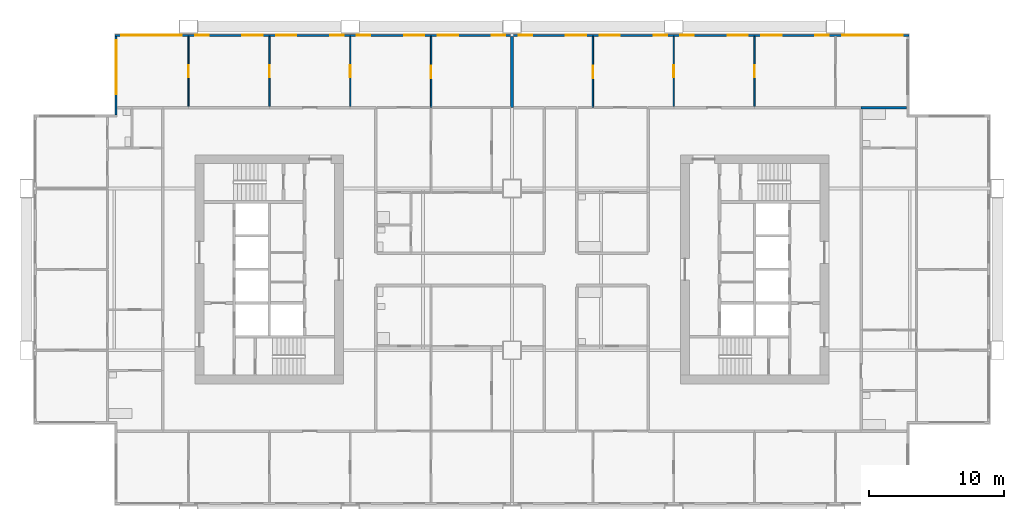
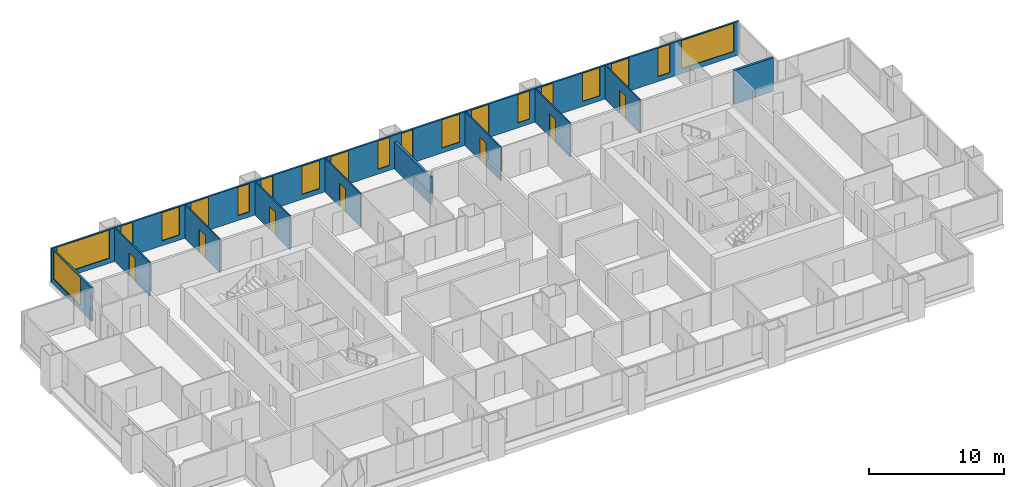
# One storey, part 8 of 12: 19 windows, 11 walls, 7 doors, 26 openings.
"""IFC4 building model written with IfcOpenShell, lengths in metres."""

from ifc_helpers import new_model, si_unit, direction, frame, frame_2d, origin, place, context, subcontext, project, spatial, rectangle, extrude, material, layer, layer_set, type_object, element, fill, save


model = new_model("IFC4")

# Units and contexts
model_context = context("Model", 3, precision=1e-05, world=origin(), true_north=direction((0.0, 1.0)))
body_context = subcontext(model_context, "Body", "Model", "MODEL_VIEW")
ifc_project = project(units=[si_unit("LENGTHUNIT", "METRE"), si_unit("AREAUNIT", "SQUARE_METRE"), si_unit("VOLUMEUNIT", "CUBIC_METRE"), si_unit("PLANEANGLEUNIT", "RADIAN"), si_unit("MASSUNIT", "GRAM", prefix="KILO")], contexts=[model_context])

# Site, building, storey
site_placement = place(None, origin())
site = spatial("IfcSite", under=ifc_project, at=site_placement, CompositionType="ELEMENT")
building_placement = place(site_placement, origin())
building = spatial("IfcBuilding", under=site, at=building_placement, Name="Kitamizu Gate Tower and Museum", CompositionType="ELEMENT")
storey_placement = place(building_placement, frame((0.0, 0.0, 134.550048828125)))
storey = spatial("IfcBuildingStorey", under=building, at=storey_placement, Name="L35", CompositionType="ELEMENT", Elevation=134.550048828125)

# Wall, opening, door
ifc_material_1 = material(Name="Gypsum board on galvanised stud")
ifc_layer_1 = layer(ifc_material_1, 0.10009765625)
ifc_layer_set_1 = layer_set([ifc_layer_1], Name="Gypsum board on galvanised stud")
wall_type_1 = type_object("IfcWallType", Name="Partition 100 NOT RATED", PredefinedType="PARTITIONING", material=ifc_layer_set_1)
wall_1_placement = place(storey_placement, frame((12.0, 42.10009765625, 0.0), z_axis=(0.0, 0.0, 1.0), x_axis=(0.0, 1.0, 0.0)))
wall_1 = element("IfcWall", 1, at=wall_1_placement, inside=storey, type_object=wall_type_1, Name="Partition L35-049", PredefinedType="PARTITIONING", context=body_context, shape_type="SweptSolid", body=[
    extrude(rectangle(XDim=5.179931640625, YDim=0.10009765625, at=frame_2d((2.58984375, 0.0))), origin(), (0.0, 0.0, 1.0), 3.050048828125),
])
opening_1_placement = place(wall_1_placement, frame((2.139892578125, 0.0, 0.0)))
opening_1 = element("IfcOpeningElement", 2, at=opening_1_placement, cuts=wall_1, Name="Opening L35-021", PredefinedType="OPENING", context=body_context, shape_type="SweptSolid", body=[
    extrude(rectangle(XDim=0.89990234375, YDim=2.10009765625, at=frame_2d((0.449951171875, 1.050048828125))), frame((0.0, 0.06005859375, 0.0), z_axis=(0.0, -1.0, 0.0), x_axis=(1.0, 0.0, 0.0)), (0.0, 0.0, 1.0), 0.1201171875),
])
ifc_material_2 = material(Name="Timber door set", Category="wood")
door_type = type_object("IfcDoorType", Name="Room door 900", OperationType="NOTDEFINED", PredefinedType="DOOR", material=ifc_material_2)
door_1_placement = place(opening_1_placement, origin())
door_1 = element("IfcDoor", 3, at=door_1_placement, inside=storey, type_object=door_type, Name="Door L35-021", OperationType="SINGLE_SWING_RIGHT", OverallHeight=2.10009765625, OverallWidth=0.89990234375, PredefinedType="DOOR", context=body_context, shape_type="SweptSolid", body=[
    extrude(rectangle(XDim=0.89990234375, YDim=2.10009765625, at=frame_2d((0.449951171875, 1.050048828125))), frame((0.0, 0.02490234375, 0.0), z_axis=(0.0, -1.0, 0.0), x_axis=(1.0, 0.0, 0.0)), (0.0, 0.0, 1.0), 0.050048828125),
])
fill(opening_1, door_1)

wall_2_placement = place(storey_placement, frame((18.0, 42.10009765625, 0.0), z_axis=(0.0, 0.0, 1.0), x_axis=(0.0, 1.0, 0.0)))
wall_2 = element("IfcWall", 4, at=wall_2_placement, inside=storey, type_object=wall_type_1, Name="Partition L35-053", PredefinedType="PARTITIONING", context=body_context, shape_type="SweptSolid", body=[
    extrude(rectangle(XDim=5.179931640625, YDim=0.10009765625, at=frame_2d((2.58984375, 0.0))), origin(), (0.0, 0.0, 1.0), 3.050048828125),
])
opening_2_placement = place(wall_2_placement, frame((2.139892578125, 0.0, 0.0)))
opening_2 = element("IfcOpeningElement", 5, at=opening_2_placement, cuts=wall_2, Name="Opening L35-019", PredefinedType="OPENING", context=body_context, shape_type="SweptSolid", body=[
    extrude(rectangle(XDim=0.89990234375, YDim=2.10009765625, at=frame_2d((0.449951171875, 1.050048828125))), frame((0.0, 0.06005859375, 0.0), z_axis=(0.0, -1.0, 0.0), x_axis=(1.0, 0.0, 0.0)), (0.0, 0.0, 1.0), 0.1201171875),
])
door_2_placement = place(opening_2_placement, origin())
door_2 = element("IfcDoor", 6, at=door_2_placement, inside=storey, type_object=door_type, Name="Door L35-019", OperationType="SINGLE_SWING_RIGHT", OverallHeight=2.10009765625, OverallWidth=0.89990234375, PredefinedType="DOOR", context=body_context, shape_type="SweptSolid", body=[
    extrude(rectangle(XDim=0.89990234375, YDim=2.10009765625, at=frame_2d((0.449951171875, 1.050048828125))), frame((0.0, 0.02490234375, 0.0), z_axis=(0.0, -1.0, 0.0), x_axis=(1.0, 0.0, 0.0)), (0.0, 0.0, 1.0), 0.050048828125),
])
fill(opening_2, door_2)

wall_3_placement = place(storey_placement, frame((24.0, 42.10009765625, 0.0), z_axis=(0.0, 0.0, 1.0), x_axis=(0.0, 1.0, 0.0)))
wall_3 = element("IfcWall", 7, at=wall_3_placement, inside=storey, type_object=wall_type_1, Name="Partition L35-055", PredefinedType="PARTITIONING", context=body_context, shape_type="SweptSolid", body=[
    extrude(rectangle(XDim=5.179931640625, YDim=0.10009765625, at=frame_2d((2.58984375, 0.0))), origin(), (0.0, 0.0, 1.0), 3.050048828125),
])
opening_3_placement = place(wall_3_placement, frame((2.139892578125, 0.0, 0.0)))
opening_3 = element("IfcOpeningElement", 8, at=opening_3_placement, cuts=wall_3, Name="Opening L35-020", PredefinedType="OPENING", context=body_context, shape_type="SweptSolid", body=[
    extrude(rectangle(XDim=0.89990234375, YDim=2.10009765625, at=frame_2d((0.449951171875, 1.050048828125))), frame((0.0, 0.06005859375, 0.0), z_axis=(0.0, -1.0, 0.0), x_axis=(1.0, 0.0, 0.0)), (0.0, 0.0, 1.0), 0.1201171875),
])
door_3_placement = place(opening_3_placement, frame((0.89990234375, 0.0, 0.0), x_axis=(-1.0, 0.0, 0.0)))
door_3 = element("IfcDoor", 9, at=door_3_placement, inside=storey, type_object=door_type, Name="Door L35-020", OperationType="SINGLE_SWING_RIGHT", OverallHeight=2.10009765625, OverallWidth=0.89990234375, PredefinedType="DOOR", context=body_context, shape_type="SweptSolid", body=[
    extrude(rectangle(XDim=0.89990234375, YDim=2.10009765625, at=frame_2d((0.449951171875, 1.050048828125))), frame((0.0, 0.02490234375, 0.0), z_axis=(0.0, -1.0, 0.0), x_axis=(1.0, 0.0, 0.0)), (0.0, 0.0, 1.0), 0.050048828125),
])
fill(opening_3, door_3)

wall_4_placement = place(storey_placement, frame((30.0, 42.0, 0.0), z_axis=(0.0, 0.0, 1.0), x_axis=(0.0, 1.0, 0.0)))
wall_4 = element("IfcWall", 10, at=wall_4_placement, inside=storey, type_object=wall_type_1, Name="Partition L35-057", PredefinedType="PARTITIONING", context=body_context, shape_type="SweptSolid", body=[
    extrude(rectangle(XDim=5.280029296875, YDim=0.10009765625, at=frame_2d((2.64013671875, 0.0))), origin(), (0.0, 0.0, 1.0), 3.050048828125),
])
opening_4_placement = place(wall_4_placement, frame((2.18994140625, 0.0, 0.0)))
opening_4 = element("IfcOpeningElement", 11, at=opening_4_placement, cuts=wall_4, Name="Opening L35-022", PredefinedType="OPENING", context=body_context, shape_type="SweptSolid", body=[
    extrude(rectangle(XDim=0.89990234375, YDim=2.10009765625, at=frame_2d((0.449951171875, 1.050048828125))), frame((0.0, 0.06005859375, 0.0), z_axis=(0.0, -1.0, 0.0), x_axis=(1.0, 0.0, 0.0)), (0.0, 0.0, 1.0), 0.1201171875),
])
door_4_placement = place(opening_4_placement, origin())
door_4 = element("IfcDoor", 12, at=door_4_placement, inside=storey, type_object=door_type, Name="Door L35-022", OperationType="SINGLE_SWING_LEFT", OverallHeight=2.10009765625, OverallWidth=0.89990234375, PredefinedType="DOOR", context=body_context, shape_type="SweptSolid", body=[
    extrude(rectangle(XDim=0.89990234375, YDim=2.10009765625, at=frame_2d((0.449951171875, 1.050048828125))), frame((0.0, 0.02490234375, 0.0), z_axis=(0.0, -1.0, 0.0), x_axis=(1.0, 0.0, 0.0)), (0.0, 0.0, 1.0), 0.050048828125),
])
fill(opening_4, door_4)

wall_5_placement = place(storey_placement, frame((42.0, 42.0, 0.0), z_axis=(0.0, 0.0, 1.0), x_axis=(0.0, 1.0, 0.0)))
wall_5 = element("IfcWall", 13, at=wall_5_placement, inside=storey, type_object=wall_type_1, Name="Partition L35-106", PredefinedType="PARTITIONING", context=body_context, shape_type="SweptSolid", body=[
    extrude(rectangle(XDim=5.280029296875, YDim=0.10009765625, at=frame_2d((2.64013671875, 0.0))), origin(), (0.0, 0.0, 1.0), 3.050048828125),
])
opening_5_placement = place(wall_5_placement, frame((2.18994140625, 0.0, 0.0)))
opening_5 = element("IfcOpeningElement", 14, at=opening_5_placement, cuts=wall_5, Name="Opening L35-042", PredefinedType="OPENING", context=body_context, shape_type="SweptSolid", body=[
    extrude(rectangle(XDim=0.89990234375, YDim=2.10009765625, at=frame_2d((0.449951171875, 1.050048828125))), frame((0.0, 0.06005859375, 0.0), z_axis=(0.0, -1.0, 0.0), x_axis=(1.0, 0.0, 0.0)), (0.0, 0.0, 1.0), 0.1201171875),
])
door_5_placement = place(opening_5_placement, origin())
door_5 = element("IfcDoor", 15, at=door_5_placement, inside=storey, type_object=door_type, Name="Door L35-042", OperationType="SINGLE_SWING_RIGHT", OverallHeight=2.10009765625, OverallWidth=0.89990234375, PredefinedType="DOOR", context=body_context, shape_type="SweptSolid", body=[
    extrude(rectangle(XDim=0.89990234375, YDim=2.10009765625, at=frame_2d((0.449951171875, 1.050048828125))), frame((0.0, 0.02490234375, 0.0), z_axis=(0.0, -1.0, 0.0), x_axis=(1.0, 0.0, 0.0)), (0.0, 0.0, 1.0), 0.050048828125),
])
fill(opening_5, door_5)

wall_6_placement = place(storey_placement, frame((48.0, 42.10009765625, 0.0), z_axis=(0.0, 0.0, 1.0), x_axis=(0.0, 1.0, 0.0)))
wall_6 = element("IfcWall", 16, at=wall_6_placement, inside=storey, type_object=wall_type_1, Name="Partition L35-109", PredefinedType="PARTITIONING", context=body_context, shape_type="SweptSolid", body=[
    extrude(rectangle(XDim=5.179931640625, YDim=0.10009765625, at=frame_2d((2.58984375, 0.0))), origin(), (0.0, 0.0, 1.0), 3.050048828125),
])
opening_6_placement = place(wall_6_placement, frame((2.139892578125, 0.0, 0.0)))
opening_6 = element("IfcOpeningElement", 17, at=opening_6_placement, cuts=wall_6, Name="Opening L35-039", PredefinedType="OPENING", context=body_context, shape_type="SweptSolid", body=[
    extrude(rectangle(XDim=0.89990234375, YDim=2.10009765625, at=frame_2d((0.449951171875, 1.050048828125))), frame((0.0, 0.06005859375, 0.0), z_axis=(0.0, -1.0, 0.0), x_axis=(1.0, 0.0, 0.0)), (0.0, 0.0, 1.0), 0.1201171875),
])
door_6_placement = place(opening_6_placement, origin())
door_6 = element("IfcDoor", 18, at=door_6_placement, inside=storey, type_object=door_type, Name="Door L35-039", OperationType="SINGLE_SWING_LEFT", OverallHeight=2.10009765625, OverallWidth=0.89990234375, PredefinedType="DOOR", context=body_context, shape_type="SweptSolid", body=[
    extrude(rectangle(XDim=0.89990234375, YDim=2.10009765625, at=frame_2d((0.449951171875, 1.050048828125))), frame((0.0, 0.02490234375, 0.0), z_axis=(0.0, -1.0, 0.0), x_axis=(1.0, 0.0, 0.0)), (0.0, 0.0, 1.0), 0.050048828125),
])
fill(opening_6, door_6)

wall_7_placement = place(storey_placement, frame((54.0, 42.10009765625, 0.0), z_axis=(0.0, 0.0, 1.0), x_axis=(0.0, 1.0, 0.0)))
wall_7 = element("IfcWall", 19, at=wall_7_placement, inside=storey, type_object=wall_type_1, Name="Partition L35-112", PredefinedType="PARTITIONING", context=body_context, shape_type="SweptSolid", body=[
    extrude(rectangle(XDim=5.179931640625, YDim=0.10009765625, at=frame_2d((2.58984375, 0.0))), origin(), (0.0, 0.0, 1.0), 3.050048828125),
])
opening_7_placement = place(wall_7_placement, frame((2.139892578125, 0.0, 0.0)))
opening_7 = element("IfcOpeningElement", 20, at=opening_7_placement, cuts=wall_7, Name="Opening L35-040", PredefinedType="OPENING", context=body_context, shape_type="SweptSolid", body=[
    extrude(rectangle(XDim=0.89990234375, YDim=2.10009765625, at=frame_2d((0.449951171875, 1.050048828125))), frame((0.0, 0.06005859375, 0.0), z_axis=(0.0, -1.0, 0.0), x_axis=(1.0, 0.0, 0.0)), (0.0, 0.0, 1.0), 0.1201171875),
])
door_7_placement = place(opening_7_placement, frame((0.89990234375, 0.0, 0.0), x_axis=(-1.0, 0.0, 0.0)))
door_7 = element("IfcDoor", 21, at=door_7_placement, inside=storey, type_object=door_type, Name="Door L35-040", OperationType="SINGLE_SWING_LEFT", OverallHeight=2.10009765625, OverallWidth=0.89990234375, PredefinedType="DOOR", context=body_context, shape_type="SweptSolid", body=[
    extrude(rectangle(XDim=0.89990234375, YDim=2.10009765625, at=frame_2d((0.449951171875, 1.050048828125))), frame((0.0, 0.02490234375, 0.0), z_axis=(0.0, -1.0, 0.0), x_axis=(1.0, 0.0, 0.0)), (0.0, 0.0, 1.0), 0.050048828125),
])
fill(opening_7, door_7)

# Walls
ifc_material_3 = material(Name="Gypsum board on galvanised stud")
ifc_layer_2 = layer(ifc_material_3, 0.199951171875)
ifc_layer_set_2 = layer_set([ifc_layer_2], Name="Gypsum board on galvanised stud")
wall_type_2 = type_object("IfcWallType", Name="Partition 200", PredefinedType="PARTITIONING", material=ifc_layer_set_2)
wall_8_placement = place(storey_placement, frame((36.0, 42.0, 0.0), z_axis=(0.0, 0.0, 1.0), x_axis=(0.0, 1.0, 0.0)))
element("IfcWall", 22, at=wall_8_placement, inside=storey, type_object=wall_type_2, Name="Partition L35-062", PredefinedType="PARTITIONING", context=body_context, shape_type="SweptSolid", body=[
    extrude(rectangle(XDim=5.280029296875, YDim=0.199951171875, at=frame_2d((2.64013671875, 0.0))), origin(), (0.0, 0.0, 1.0), 2.449951171875),
])
wall_9_placement = place(storey_placement, frame((61.89990234375, 42.0, 0.0), z_axis=(0.0, 0.0, 1.0), x_axis=(1.0, 0.0, 0.0)))
element("IfcWall", 23, at=wall_9_placement, inside=storey, type_object=wall_type_2, Name="Partition L35-116", PredefinedType="PARTITIONING", context=body_context, shape_type="SweptSolid", body=[
    extrude(rectangle(XDim=3.380126953125, YDim=0.199951171875, at=frame_2d((1.68994140625, 0.0))), origin(), (0.0, 0.0, 1.0), 3.050048828125),
])

# Wall, openings, windows
ifc_material_4 = material(Name="Bronze anodised aluminium frame with insulated spandrel and tinted glass", Category="aluminium")
ifc_layer_3 = layer(ifc_material_4, 0.14990234375)
ifc_layer_set_3 = layer_set([ifc_layer_3], Name="Bronze anodised aluminium frame with insulated spandrel and tinted glass")
wall_type_3 = type_object("IfcWallType", Name="WINDOW WALL 150 BRONZE FRAME EI 30", PredefinedType="ELEMENTEDWALL", material=ifc_layer_set_3)
wall_10_placement = place(storey_placement, frame((6.56005859375, 47.364990234375, 0.0), z_axis=(0.0, 0.0, 1.0), x_axis=(1.0, 0.0, 0.0)))
wall_10 = element("IfcWall", 24, at=wall_10_placement, inside=storey, type_object=wall_type_3, Name="Window wall north L35", PredefinedType="ELEMENTEDWALL", context=body_context, shape_type="SweptSolid", body=[
    extrude(rectangle(XDim=58.8798828125, YDim=0.14990234375, at=frame_2d((29.43994140625, 0.0))), origin(), (0.0, 0.0, 1.0), 3.050048828125),
])
opening_8_placement = place(wall_10_placement, frame((0.43994140625, 0.0, 0.449951171875)))
opening_8 = element("IfcOpeningElement", 25, at=opening_8_placement, cuts=wall_10, Name="Opening W15", PredefinedType="OPENING", context=body_context, shape_type="SweptSolid", body=[
    extrude(rectangle(XDim=4.5, YDim=2.550048828125, at=frame_2d((2.25, 1.27490234375))), frame((0.0, 0.0849609375, 0.0), z_axis=(0.0, -1.0, 0.0), x_axis=(1.0, 0.0, 0.0)), (0.0, 0.0, 1.0), 0.169921875),
])
opening_9_placement = place(wall_10_placement, frame((5.93994140625, 0.0, 0.449951171875)))
opening_9 = element("IfcOpeningElement", 26, at=opening_9_placement, cuts=wall_10, Name="Opening W26", PredefinedType="OPENING", context=body_context, shape_type="SweptSolid", body=[
    extrude(rectangle(XDim=1.0, YDim=2.550048828125, at=frame_2d((0.5, 1.27490234375))), frame((0.0, 0.0849609375, 0.0), z_axis=(0.0, -1.0, 0.0), x_axis=(1.0, 0.0, 0.0)), (0.0, 0.0, 1.0), 0.169921875),
])
opening_10_placement = place(wall_10_placement, frame((9.43994140625, 0.0, 0.449951171875)))
opening_10 = element("IfcOpeningElement", 27, at=opening_10_placement, cuts=wall_10, Name="Opening W28", PredefinedType="OPENING", context=body_context, shape_type="SweptSolid", body=[
    extrude(rectangle(XDim=1.5, YDim=2.550048828125, at=frame_2d((0.75, 1.27490234375))), frame((0.0, 0.0849609375, 0.0), z_axis=(0.0, -1.0, 0.0), x_axis=(1.0, 0.0, 0.0)), (0.0, 0.0, 1.0), 0.169921875),
])
opening_11_placement = place(wall_10_placement, frame((11.93994140625, 0.0, 0.449951171875)))
opening_11 = element("IfcOpeningElement", 28, at=opening_11_placement, cuts=wall_10, Name="Opening W28", PredefinedType="OPENING", context=body_context, shape_type="SweptSolid", body=[
    extrude(rectangle(XDim=1.5, YDim=2.550048828125, at=frame_2d((0.75, 1.27490234375))), frame((0.0, 0.0849609375, 0.0), z_axis=(0.0, -1.0, 0.0), x_axis=(1.0, 0.0, 0.0)), (0.0, 0.0, 1.0), 0.169921875),
])
opening_12_placement = place(wall_10_placement, frame((15.93994140625, 0.0, 0.449951171875)))
opening_12 = element("IfcOpeningElement", 29, at=opening_12_placement, cuts=wall_10, Name="Opening W26", PredefinedType="OPENING", context=body_context, shape_type="SweptSolid", body=[
    extrude(rectangle(XDim=1.0, YDim=2.550048828125, at=frame_2d((0.5, 1.27490234375))), frame((0.0, 0.0849609375, 0.0), z_axis=(0.0, -1.0, 0.0), x_axis=(1.0, 0.0, 0.0)), (0.0, 0.0, 1.0), 0.169921875),
])
opening_13_placement = place(wall_10_placement, frame((17.93994140625, 0.0, 0.449951171875)))
opening_13 = element("IfcOpeningElement", 30, at=opening_13_placement, cuts=wall_10, Name="Opening W26", PredefinedType="OPENING", context=body_context, shape_type="SweptSolid", body=[
    extrude(rectangle(XDim=1.0, YDim=2.550048828125, at=frame_2d((0.5, 1.27490234375))), frame((0.0, 0.0849609375, 0.0), z_axis=(0.0, -1.0, 0.0), x_axis=(1.0, 0.0, 0.0)), (0.0, 0.0, 1.0), 0.169921875),
])
opening_14_placement = place(wall_10_placement, frame((21.43994140625, 0.0, 0.449951171875)))
opening_14 = element("IfcOpeningElement", 31, at=opening_14_placement, cuts=wall_10, Name="Opening W28", PredefinedType="OPENING", context=body_context, shape_type="SweptSolid", body=[
    extrude(rectangle(XDim=1.5, YDim=2.550048828125, at=frame_2d((0.75, 1.27490234375))), frame((0.0, 0.0849609375, 0.0), z_axis=(0.0, -1.0, 0.0), x_axis=(1.0, 0.0, 0.0)), (0.0, 0.0, 1.0), 0.169921875),
])
opening_15_placement = place(wall_10_placement, frame((23.93994140625, 0.0, 0.449951171875)))
opening_15 = element("IfcOpeningElement", 32, at=opening_15_placement, cuts=wall_10, Name="Opening W28", PredefinedType="OPENING", context=body_context, shape_type="SweptSolid", body=[
    extrude(rectangle(XDim=1.5, YDim=2.550048828125, at=frame_2d((0.75, 1.27490234375))), frame((0.0, 0.0849609375, 0.0), z_axis=(0.0, -1.0, 0.0), x_axis=(1.0, 0.0, 0.0)), (0.0, 0.0, 1.0), 0.169921875),
])
opening_16_placement = place(wall_10_placement, frame((27.93994140625, 0.0, 0.449951171875)))
opening_16 = element("IfcOpeningElement", 33, at=opening_16_placement, cuts=wall_10, Name="Opening W26", PredefinedType="OPENING", context=body_context, shape_type="SweptSolid", body=[
    extrude(rectangle(XDim=1.0, YDim=2.550048828125, at=frame_2d((0.5, 1.27490234375))), frame((0.0, 0.0849609375, 0.0), z_axis=(0.0, -1.0, 0.0), x_axis=(1.0, 0.0, 0.0)), (0.0, 0.0, 1.0), 0.169921875),
])
opening_17_placement = place(wall_10_placement, frame((29.93994140625, 0.0, 0.449951171875)))
opening_17 = element("IfcOpeningElement", 34, at=opening_17_placement, cuts=wall_10, Name="Opening W26", PredefinedType="OPENING", context=body_context, shape_type="SweptSolid", body=[
    extrude(rectangle(XDim=1.0, YDim=2.550048828125, at=frame_2d((0.5, 1.27490234375))), frame((0.0, 0.0849609375, 0.0), z_axis=(0.0, -1.0, 0.0), x_axis=(1.0, 0.0, 0.0)), (0.0, 0.0, 1.0), 0.169921875),
])
opening_18_placement = place(wall_10_placement, frame((33.43994140625, 0.0, 0.449951171875)))
opening_18 = element("IfcOpeningElement", 35, at=opening_18_placement, cuts=wall_10, Name="Opening W28", PredefinedType="OPENING", context=body_context, shape_type="SweptSolid", body=[
    extrude(rectangle(XDim=1.5, YDim=2.550048828125, at=frame_2d((0.75, 1.27490234375))), frame((0.0, 0.0849609375, 0.0), z_axis=(0.0, -1.0, 0.0), x_axis=(1.0, 0.0, 0.0)), (0.0, 0.0, 1.0), 0.169921875),
])
opening_19_placement = place(wall_10_placement, frame((35.93994140625, 0.0, 0.449951171875)))
opening_19 = element("IfcOpeningElement", 36, at=opening_19_placement, cuts=wall_10, Name="Opening W28", PredefinedType="OPENING", context=body_context, shape_type="SweptSolid", body=[
    extrude(rectangle(XDim=1.5, YDim=2.550048828125, at=frame_2d((0.75, 1.27490234375))), frame((0.0, 0.0849609375, 0.0), z_axis=(0.0, -1.0, 0.0), x_axis=(1.0, 0.0, 0.0)), (0.0, 0.0, 1.0), 0.169921875),
])
opening_20_placement = place(wall_10_placement, frame((39.93994140625, 0.0, 0.449951171875)))
opening_20 = element("IfcOpeningElement", 37, at=opening_20_placement, cuts=wall_10, Name="Opening W26", PredefinedType="OPENING", context=body_context, shape_type="SweptSolid", body=[
    extrude(rectangle(XDim=1.0, YDim=2.550048828125, at=frame_2d((0.5, 1.27490234375))), frame((0.0, 0.0849609375, 0.0), z_axis=(0.0, -1.0, 0.0), x_axis=(1.0, 0.0, 0.0)), (0.0, 0.0, 1.0), 0.169921875),
])
opening_21_placement = place(wall_10_placement, frame((41.93994140625, 0.0, 0.449951171875)))
opening_21 = element("IfcOpeningElement", 38, at=opening_21_placement, cuts=wall_10, Name="Opening W26", PredefinedType="OPENING", context=body_context, shape_type="SweptSolid", body=[
    extrude(rectangle(XDim=1.0, YDim=2.550048828125, at=frame_2d((0.5, 1.27490234375))), frame((0.0, 0.0849609375, 0.0), z_axis=(0.0, -1.0, 0.0), x_axis=(1.0, 0.0, 0.0)), (0.0, 0.0, 1.0), 0.169921875),
])
opening_22_placement = place(wall_10_placement, frame((45.43994140625, 0.0, 0.449951171875)))
opening_22 = element("IfcOpeningElement", 39, at=opening_22_placement, cuts=wall_10, Name="Opening W28", PredefinedType="OPENING", context=body_context, shape_type="SweptSolid", body=[
    extrude(rectangle(XDim=1.5, YDim=2.550048828125, at=frame_2d((0.75, 1.27490234375))), frame((0.0, 0.0849609375, 0.0), z_axis=(0.0, -1.0, 0.0), x_axis=(1.0, 0.0, 0.0)), (0.0, 0.0, 1.0), 0.169921875),
])
opening_23_placement = place(wall_10_placement, frame((47.93994140625, 0.0, 0.449951171875)))
opening_23 = element("IfcOpeningElement", 40, at=opening_23_placement, cuts=wall_10, Name="Opening W28", PredefinedType="OPENING", context=body_context, shape_type="SweptSolid", body=[
    extrude(rectangle(XDim=1.5, YDim=2.550048828125, at=frame_2d((0.75, 1.27490234375))), frame((0.0, 0.0849609375, 0.0), z_axis=(0.0, -1.0, 0.0), x_axis=(1.0, 0.0, 0.0)), (0.0, 0.0, 1.0), 0.169921875),
])
opening_24_placement = place(wall_10_placement, frame((51.93994140625, 0.0, 0.449951171875)))
opening_24 = element("IfcOpeningElement", 41, at=opening_24_placement, cuts=wall_10, Name="Opening W26", PredefinedType="OPENING", context=body_context, shape_type="SweptSolid", body=[
    extrude(rectangle(XDim=1.0, YDim=2.550048828125, at=frame_2d((0.5, 1.27490234375))), frame((0.0, 0.0849609375, 0.0), z_axis=(0.0, -1.0, 0.0), x_axis=(1.0, 0.0, 0.0)), (0.0, 0.0, 1.0), 0.169921875),
])
opening_25_placement = place(wall_10_placement, frame((53.93994140625, 0.0, 0.449951171875)))
opening_25 = element("IfcOpeningElement", 42, at=opening_25_placement, cuts=wall_10, Name="Opening W15", PredefinedType="OPENING", context=body_context, shape_type="SweptSolid", body=[
    extrude(rectangle(XDim=4.5, YDim=2.550048828125, at=frame_2d((2.25, 1.27490234375))), frame((0.0, 0.0849609375, 0.0), z_axis=(0.0, -1.0, 0.0), x_axis=(1.0, 0.0, 0.0)), (0.0, 0.0, 1.0), 0.169921875),
])
ifc_material_5 = material(Name="Bronze anodised aluminium frame, tinted triple glazing", Category="aluminium")
window_type_1 = type_object("IfcWindowType", Name="WINDOW 1000 x 2550 SILL 450", PartitioningType="SINGLE_PANEL", PredefinedType="WINDOW", material=ifc_material_5)
window_1_placement = place(opening_9_placement, origin())
window_1 = element("IfcWindow", 43, at=window_1_placement, inside=storey, type_object=window_type_1, Name="Window W26 L35", OverallHeight=2.550048828125, OverallWidth=1.0, PartitioningType="SINGLE_PANEL", PredefinedType="WINDOW", context=body_context, shape_type="SweptSolid", body=[
    extrude(rectangle(XDim=1.0, YDim=2.550048828125, at=frame_2d((0.5, 1.27490234375))), frame((0.0, 0.030029296875, 0.0), z_axis=(0.0, -1.0, 0.0), x_axis=(1.0, 0.0, 0.0)), (0.0, 0.0, 1.0), 0.06005859375),
])
fill(opening_9, window_1)
window_2_placement = place(opening_12_placement, origin())
window_2 = element("IfcWindow", 44, at=window_2_placement, inside=storey, type_object=window_type_1, Name="Window W26 L35", OverallHeight=2.550048828125, OverallWidth=1.0, PartitioningType="SINGLE_PANEL", PredefinedType="WINDOW", context=body_context, shape_type="SweptSolid", body=[
    extrude(rectangle(XDim=1.0, YDim=2.550048828125, at=frame_2d((0.5, 1.27490234375))), frame((0.0, 0.030029296875, 0.0), z_axis=(0.0, -1.0, 0.0), x_axis=(1.0, 0.0, 0.0)), (0.0, 0.0, 1.0), 0.06005859375),
])
fill(opening_12, window_2)
window_3_placement = place(opening_13_placement, origin())
window_3 = element("IfcWindow", 45, at=window_3_placement, inside=storey, type_object=window_type_1, Name="Window W26 L35", OverallHeight=2.550048828125, OverallWidth=1.0, PartitioningType="SINGLE_PANEL", PredefinedType="WINDOW", context=body_context, shape_type="SweptSolid", body=[
    extrude(rectangle(XDim=1.0, YDim=2.550048828125, at=frame_2d((0.5, 1.27490234375))), frame((0.0, 0.030029296875, 0.0), z_axis=(0.0, -1.0, 0.0), x_axis=(1.0, 0.0, 0.0)), (0.0, 0.0, 1.0), 0.06005859375),
])
fill(opening_13, window_3)
window_4_placement = place(opening_16_placement, origin())
window_4 = element("IfcWindow", 46, at=window_4_placement, inside=storey, type_object=window_type_1, Name="Window W26 L35", OverallHeight=2.550048828125, OverallWidth=1.0, PartitioningType="SINGLE_PANEL", PredefinedType="WINDOW", context=body_context, shape_type="SweptSolid", body=[
    extrude(rectangle(XDim=1.0, YDim=2.550048828125, at=frame_2d((0.5, 1.27490234375))), frame((0.0, 0.030029296875, 0.0), z_axis=(0.0, -1.0, 0.0), x_axis=(1.0, 0.0, 0.0)), (0.0, 0.0, 1.0), 0.06005859375),
])
fill(opening_16, window_4)
window_5_placement = place(opening_17_placement, origin())
window_5 = element("IfcWindow", 47, at=window_5_placement, inside=storey, type_object=window_type_1, Name="Window W26 L35", OverallHeight=2.550048828125, OverallWidth=1.0, PartitioningType="SINGLE_PANEL", PredefinedType="WINDOW", context=body_context, shape_type="SweptSolid", body=[
    extrude(rectangle(XDim=1.0, YDim=2.550048828125, at=frame_2d((0.5, 1.27490234375))), frame((0.0, 0.030029296875, 0.0), z_axis=(0.0, -1.0, 0.0), x_axis=(1.0, 0.0, 0.0)), (0.0, 0.0, 1.0), 0.06005859375),
])
fill(opening_17, window_5)
window_6_placement = place(opening_20_placement, origin())
window_6 = element("IfcWindow", 48, at=window_6_placement, inside=storey, type_object=window_type_1, Name="Window W26 L35", OverallHeight=2.550048828125, OverallWidth=1.0, PartitioningType="SINGLE_PANEL", PredefinedType="WINDOW", context=body_context, shape_type="SweptSolid", body=[
    extrude(rectangle(XDim=1.0, YDim=2.550048828125, at=frame_2d((0.5, 1.27490234375))), frame((0.0, 0.030029296875, 0.0), z_axis=(0.0, -1.0, 0.0), x_axis=(1.0, 0.0, 0.0)), (0.0, 0.0, 1.0), 0.06005859375),
])
fill(opening_20, window_6)
window_7_placement = place(opening_21_placement, origin())
window_7 = element("IfcWindow", 49, at=window_7_placement, inside=storey, type_object=window_type_1, Name="Window W26 L35", OverallHeight=2.550048828125, OverallWidth=1.0, PartitioningType="SINGLE_PANEL", PredefinedType="WINDOW", context=body_context, shape_type="SweptSolid", body=[
    extrude(rectangle(XDim=1.0, YDim=2.550048828125, at=frame_2d((0.5, 1.27490234375))), frame((0.0, 0.030029296875, 0.0), z_axis=(0.0, -1.0, 0.0), x_axis=(1.0, 0.0, 0.0)), (0.0, 0.0, 1.0), 0.06005859375),
])
fill(opening_21, window_7)
window_8_placement = place(opening_24_placement, origin())
window_8 = element("IfcWindow", 50, at=window_8_placement, inside=storey, type_object=window_type_1, Name="Window W26 L35", OverallHeight=2.550048828125, OverallWidth=1.0, PartitioningType="SINGLE_PANEL", PredefinedType="WINDOW", context=body_context, shape_type="SweptSolid", body=[
    extrude(rectangle(XDim=1.0, YDim=2.550048828125, at=frame_2d((0.5, 1.27490234375))), frame((0.0, 0.030029296875, 0.0), z_axis=(0.0, -1.0, 0.0), x_axis=(1.0, 0.0, 0.0)), (0.0, 0.0, 1.0), 0.06005859375),
])
fill(opening_24, window_8)
ifc_material_6 = material(Name="Bronze anodised aluminium frame, tinted triple glazing", Category="aluminium")
window_type_2 = type_object("IfcWindowType", Name="WINDOW 1500 x 2550 SILL 450", PartitioningType="SINGLE_PANEL", PredefinedType="WINDOW", material=ifc_material_6)
window_9_placement = place(opening_10_placement, origin())
window_9 = element("IfcWindow", 51, at=window_9_placement, inside=storey, type_object=window_type_2, Name="Window W28 L35", OverallHeight=2.550048828125, OverallWidth=1.5, PartitioningType="SINGLE_PANEL", PredefinedType="WINDOW", context=body_context, shape_type="SweptSolid", body=[
    extrude(rectangle(XDim=1.5, YDim=2.550048828125, at=frame_2d((0.75, 1.27490234375))), frame((0.0, 0.030029296875, 0.0), z_axis=(0.0, -1.0, 0.0), x_axis=(1.0, 0.0, 0.0)), (0.0, 0.0, 1.0), 0.06005859375),
])
fill(opening_10, window_9)
window_10_placement = place(opening_11_placement, origin())
window_10 = element("IfcWindow", 52, at=window_10_placement, inside=storey, type_object=window_type_2, Name="Window W28 L35", OverallHeight=2.550048828125, OverallWidth=1.5, PartitioningType="SINGLE_PANEL", PredefinedType="WINDOW", context=body_context, shape_type="SweptSolid", body=[
    extrude(rectangle(XDim=1.5, YDim=2.550048828125, at=frame_2d((0.75, 1.27490234375))), frame((0.0, 0.030029296875, 0.0), z_axis=(0.0, -1.0, 0.0), x_axis=(1.0, 0.0, 0.0)), (0.0, 0.0, 1.0), 0.06005859375),
])
fill(opening_11, window_10)
window_11_placement = place(opening_14_placement, origin())
window_11 = element("IfcWindow", 53, at=window_11_placement, inside=storey, type_object=window_type_2, Name="Window W28 L35", OverallHeight=2.550048828125, OverallWidth=1.5, PartitioningType="SINGLE_PANEL", PredefinedType="WINDOW", context=body_context, shape_type="SweptSolid", body=[
    extrude(rectangle(XDim=1.5, YDim=2.550048828125, at=frame_2d((0.75, 1.27490234375))), frame((0.0, 0.030029296875, 0.0), z_axis=(0.0, -1.0, 0.0), x_axis=(1.0, 0.0, 0.0)), (0.0, 0.0, 1.0), 0.06005859375),
])
fill(opening_14, window_11)
window_12_placement = place(opening_15_placement, origin())
window_12 = element("IfcWindow", 54, at=window_12_placement, inside=storey, type_object=window_type_2, Name="Window W28 L35", OverallHeight=2.550048828125, OverallWidth=1.5, PartitioningType="SINGLE_PANEL", PredefinedType="WINDOW", context=body_context, shape_type="SweptSolid", body=[
    extrude(rectangle(XDim=1.5, YDim=2.550048828125, at=frame_2d((0.75, 1.27490234375))), frame((0.0, 0.030029296875, 0.0), z_axis=(0.0, -1.0, 0.0), x_axis=(1.0, 0.0, 0.0)), (0.0, 0.0, 1.0), 0.06005859375),
])
fill(opening_15, window_12)
window_13_placement = place(opening_18_placement, origin())
window_13 = element("IfcWindow", 55, at=window_13_placement, inside=storey, type_object=window_type_2, Name="Window W28 L35", OverallHeight=2.550048828125, OverallWidth=1.5, PartitioningType="SINGLE_PANEL", PredefinedType="WINDOW", context=body_context, shape_type="SweptSolid", body=[
    extrude(rectangle(XDim=1.5, YDim=2.550048828125, at=frame_2d((0.75, 1.27490234375))), frame((0.0, 0.030029296875, 0.0), z_axis=(0.0, -1.0, 0.0), x_axis=(1.0, 0.0, 0.0)), (0.0, 0.0, 1.0), 0.06005859375),
])
fill(opening_18, window_13)
window_14_placement = place(opening_19_placement, origin())
window_14 = element("IfcWindow", 56, at=window_14_placement, inside=storey, type_object=window_type_2, Name="Window W28 L35", OverallHeight=2.550048828125, OverallWidth=1.5, PartitioningType="SINGLE_PANEL", PredefinedType="WINDOW", context=body_context, shape_type="SweptSolid", body=[
    extrude(rectangle(XDim=1.5, YDim=2.550048828125, at=frame_2d((0.75, 1.27490234375))), frame((0.0, 0.030029296875, 0.0), z_axis=(0.0, -1.0, 0.0), x_axis=(1.0, 0.0, 0.0)), (0.0, 0.0, 1.0), 0.06005859375),
])
fill(opening_19, window_14)
window_15_placement = place(opening_22_placement, origin())
window_15 = element("IfcWindow", 57, at=window_15_placement, inside=storey, type_object=window_type_2, Name="Window W28 L35", OverallHeight=2.550048828125, OverallWidth=1.5, PartitioningType="SINGLE_PANEL", PredefinedType="WINDOW", context=body_context, shape_type="SweptSolid", body=[
    extrude(rectangle(XDim=1.5, YDim=2.550048828125, at=frame_2d((0.75, 1.27490234375))), frame((0.0, 0.030029296875, 0.0), z_axis=(0.0, -1.0, 0.0), x_axis=(1.0, 0.0, 0.0)), (0.0, 0.0, 1.0), 0.06005859375),
])
fill(opening_22, window_15)
window_16_placement = place(opening_23_placement, origin())
window_16 = element("IfcWindow", 58, at=window_16_placement, inside=storey, type_object=window_type_2, Name="Window W28 L35", OverallHeight=2.550048828125, OverallWidth=1.5, PartitioningType="SINGLE_PANEL", PredefinedType="WINDOW", context=body_context, shape_type="SweptSolid", body=[
    extrude(rectangle(XDim=1.5, YDim=2.550048828125, at=frame_2d((0.75, 1.27490234375))), frame((0.0, 0.030029296875, 0.0), z_axis=(0.0, -1.0, 0.0), x_axis=(1.0, 0.0, 0.0)), (0.0, 0.0, 1.0), 0.06005859375),
])
fill(opening_23, window_16)
ifc_material_7 = material(Name="Bronze anodised aluminium frame, tinted triple glazing", Category="aluminium")
window_type_3 = type_object("IfcWindowType", Name="WINDOW 4500 x 2550 SILL 450", PartitioningType="SINGLE_PANEL", PredefinedType="WINDOW", material=ifc_material_7)
window_17_placement = place(opening_8_placement, origin())
window_17 = element("IfcWindow", 59, at=window_17_placement, inside=storey, type_object=window_type_3, Name="Window W15 L35", OverallHeight=2.550048828125, OverallWidth=4.5, PartitioningType="SINGLE_PANEL", PredefinedType="WINDOW", context=body_context, shape_type="SweptSolid", body=[
    extrude(rectangle(XDim=4.5, YDim=2.550048828125, at=frame_2d((2.25, 1.27490234375))), frame((0.0, 0.030029296875, 0.0), z_axis=(0.0, -1.0, 0.0), x_axis=(1.0, 0.0, 0.0)), (0.0, 0.0, 1.0), 0.06005859375),
])
fill(opening_8, window_17)
window_18_placement = place(opening_25_placement, origin())
window_18 = element("IfcWindow", 60, at=window_18_placement, inside=storey, type_object=window_type_3, Name="Window W15 L35", OverallHeight=2.550048828125, OverallWidth=4.5, PartitioningType="SINGLE_PANEL", PredefinedType="WINDOW", context=body_context, shape_type="SweptSolid", body=[
    extrude(rectangle(XDim=4.5, YDim=2.550048828125, at=frame_2d((2.25, 1.27490234375))), frame((0.0, 0.030029296875, 0.0), z_axis=(0.0, -1.0, 0.0), x_axis=(1.0, 0.0, 0.0)), (0.0, 0.0, 1.0), 0.06005859375),
])
fill(opening_25, window_18)

# Wall, opening, window
wall_11_placement = place(storey_placement, frame((6.635009765625, 41.43994140625, 0.0), z_axis=(0.0, 0.0, 1.0), x_axis=(0.0, 1.0, 0.0)))
wall_11 = element("IfcWall", 61, at=wall_11_placement, inside=storey, type_object=wall_type_3, Name="Window wall west L35", PredefinedType="ELEMENTEDWALL", context=body_context, shape_type="SweptSolid", body=[
    extrude(rectangle(XDim=5.85009765625, YDim=0.14990234375, at=frame_2d((2.925048828125, 0.0))), origin(), (0.0, 0.0, 1.0), 3.050048828125),
])
opening_26_placement = place(wall_11_placement, frame((1.56005859375, 0.0, 0.449951171875)))
opening_26 = element("IfcOpeningElement", 62, at=opening_26_placement, cuts=wall_11, Name="Opening W16", PredefinedType="OPENING", context=body_context, shape_type="SweptSolid", body=[
    extrude(rectangle(XDim=4.0, YDim=2.550048828125, at=frame_2d((2.0, 1.27490234375))), frame((0.0, 0.0849609375, 0.0), z_axis=(0.0, -1.0, 0.0), x_axis=(1.0, 0.0, 0.0)), (0.0, 0.0, 1.0), 0.169921875),
])
ifc_material_8 = material(Name="Bronze anodised aluminium frame, tinted triple glazing", Category="aluminium")
window_type_4 = type_object("IfcWindowType", Name="WINDOW 4000 x 2550 SILL 450", PartitioningType="SINGLE_PANEL", PredefinedType="WINDOW", material=ifc_material_8)
window_19_placement = place(opening_26_placement, origin())
window_19 = element("IfcWindow", 63, at=window_19_placement, inside=storey, type_object=window_type_4, Name="Window W16 L35", OverallHeight=2.550048828125, OverallWidth=4.0, PartitioningType="SINGLE_PANEL", PredefinedType="WINDOW", context=body_context, shape_type="SweptSolid", body=[
    extrude(rectangle(XDim=4.0, YDim=2.550048828125, at=frame_2d((2.0, 1.27490234375))), frame((0.0, 0.030029296875, 0.0), z_axis=(0.0, -1.0, 0.0), x_axis=(1.0, 0.0, 0.0)), (0.0, 0.0, 1.0), 0.06005859375),
])
fill(opening_26, window_19)

save(model, "model.ifc")
